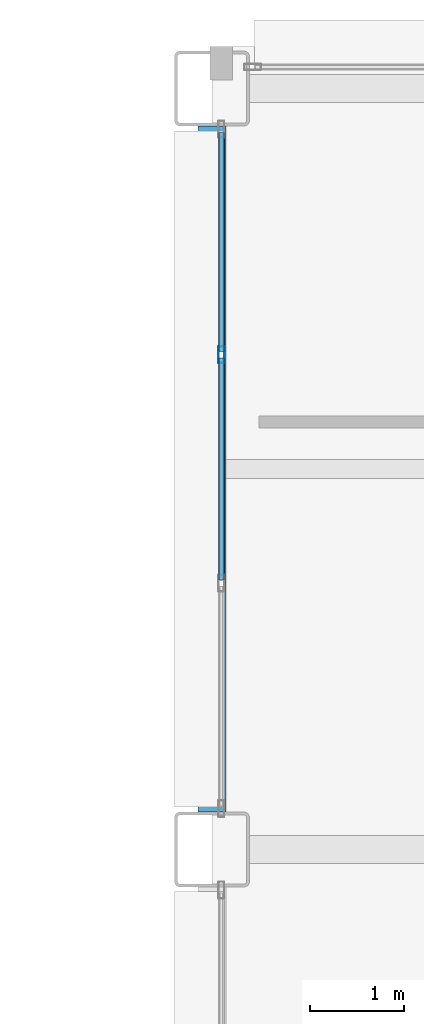
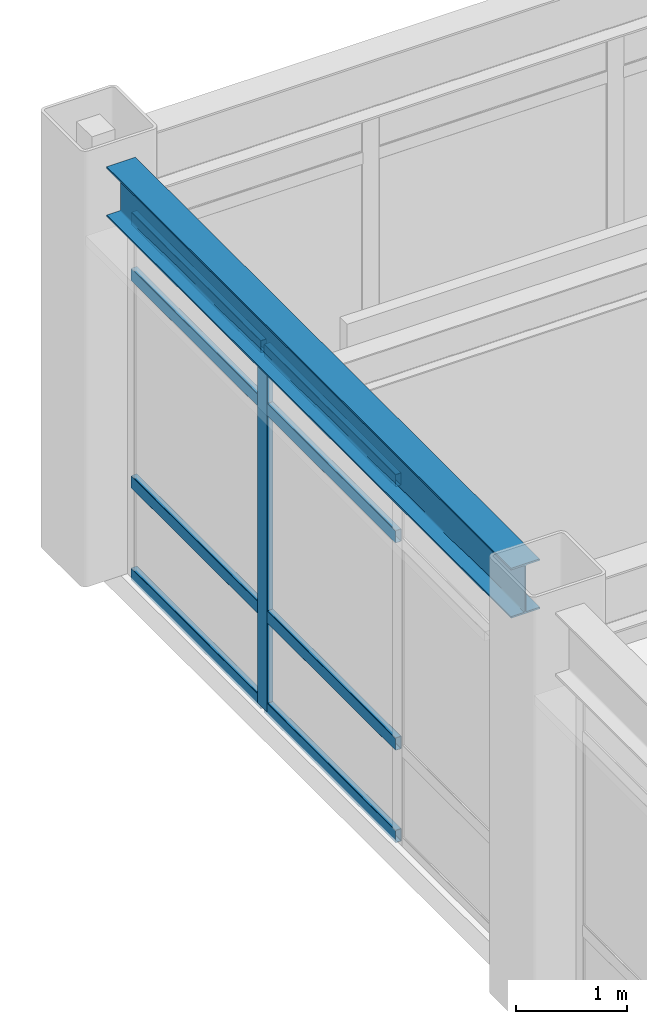
# One storey, part 108 of 154: 9 members, 1 beam, 1 element without a shape of its own.
"""IFC4 building model written with IfcOpenShell, lengths in metres."""

from ifc_helpers import new_model, si_unit, direction, frame, origin, origin_2d, place, context, subcontext, project, spatial, hollow_rectangle, i_section, extrude, material, layer, layer_set, material_profile, profile_set, type_object, element, aggregate, save


model = new_model("IFC4")

# Units and contexts
model_context = context("Model", 3, precision=1e-05, world=origin(), true_north=direction((0.0, 1.0)))
body_context = subcontext(model_context, "Body", "Model", "MODEL_VIEW")
ifc_project = project(units=[si_unit("LENGTHUNIT", "METRE"), si_unit("AREAUNIT", "SQUARE_METRE"), si_unit("VOLUMEUNIT", "CUBIC_METRE"), si_unit("PLANEANGLEUNIT", "RADIAN"), si_unit("MASSUNIT", "GRAM", prefix="KILO")], contexts=[model_context])

# Site, building, storey
site_placement = place(None, origin())
site = spatial("IfcSite", under=ifc_project, at=site_placement, CompositionType="ELEMENT")
building_placement = place(site_placement, origin())
building = spatial("IfcBuilding", under=site, at=building_placement, Name="Kazehara Bluff Congress Hotel", CompositionType="ELEMENT")
storey_placement = place(building_placement, frame((0.0, 0.0, 10.199951171875)))
storey = spatial("IfcBuildingStorey", under=building, at=storey_placement, Name="L02", CompositionType="ELEMENT", Elevation=10.199951171875)

# Curtain wall, members
ifc_material_1 = material(Name="Anodised aluminium", Category="aluminium")
ifc_layer = layer(ifc_material_1, 0.159912109375)
ifc_layer_set = layer_set([ifc_layer], Name="Anodised aluminium")
curtain_wall_type = type_object("IfcCurtainWallType", Name="TP-CW-124", PredefinedType="NOTDEFINED", material=ifc_layer_set)
curtain_wall_placement = place(storey_placement, origin())
curtain_wall = element("IfcCurtainWall", 1, at=curtain_wall_placement, inside=storey, type_object=curtain_wall_type, Name="L02 curtain wall CW-124 CW-ENC-V5-L02-14380-10950", PredefinedType="NOTDEFINED")
ifc_material_2 = material(Name="Anodised aluminium", Category="aluminium")
ifc_material_profile_1 = material_profile(ifc_material_2, hollow_rectangle(XDim=0.06494140625, YDim=0.179931640625, WallThickness=0.00390625, InnerFilletRadius=0.00390625, OuterFilletRadius=0.008056640625, at=origin_2d()))
ifc_profile_set_1 = profile_set([ifc_material_profile_1], Name="Anodised aluminium")
member_type_1 = type_object("IfcMemberType", Name="TP-CWM-02", PredefinedType="MULLION", material=ifc_profile_set_1)
member_1_placement = place(storey_placement, frame((143.800048828125, 110.716552734375, 0.0), z_axis=(0.0, 0.0, 1.0), x_axis=(-1.0, 0.0, 0.0)))
member_1 = element("IfcMember", 2, at=member_1_placement, type_object=member_type_1, Name="CW-124 mullion 3", PredefinedType="MULLION", context=body_context, shape_type="SweptSolid", body=[
    extrude(hollow_rectangle(XDim=0.06494140625, YDim=0.179931640625, WallThickness=0.00390625, InnerFilletRadius=0.00390625, OuterFilletRadius=0.008056640625, at=origin_2d()), origin(), (0.0, 0.0, 1.0), 3.985107421875),
])
ifc_material_3 = material(Name="Anodised aluminium", Category="aluminium")
ifc_material_profile_2 = material_profile(ifc_material_3, hollow_rectangle(XDim=0.06494140625, YDim=0.139892578125, WallThickness=0.00390625, InnerFilletRadius=0.00390625, OuterFilletRadius=0.008056640625, at=origin_2d()))
ifc_profile_set_2 = profile_set([ifc_material_profile_2], Name="Anodised aluminium")
member_type_2 = type_object("IfcMemberType", Name="TP-CWT-02", PredefinedType="USERDEFINED", material=ifc_profile_set_2)
member_2_placement = place(storey_placement, frame((143.800048828125, 108.31591796875, 0.032470703125), z_axis=(0.0, 1.0, 0.0), x_axis=(-1.0, 0.0, 0.0)))
member_2 = element("IfcMember", 3, at=member_2_placement, type_object=member_type_2, Name="CW-124 transom 2.1", ObjectType="TRANSOM", PredefinedType="USERDEFINED", context=body_context, shape_type="SweptSolid", body=[
    extrude(hollow_rectangle(XDim=0.06494140625, YDim=0.139892578125, WallThickness=0.00390625, InnerFilletRadius=0.00390625, OuterFilletRadius=0.008056640625, at=origin_2d()), origin(), (0.0, 0.0, 1.0), 2.3681640625),
])
member_3_placement = place(storey_placement, frame((143.800048828125, 108.31591796875, 1.050048828125), z_axis=(0.0, 1.0, 0.0), x_axis=(-1.0, 0.0, 0.0)))
member_3 = element("IfcMember", 4, at=member_3_placement, type_object=member_type_2, Name="CW-124 transom 2.2", ObjectType="TRANSOM", PredefinedType="USERDEFINED", context=body_context, shape_type="SweptSolid", body=[
    extrude(hollow_rectangle(XDim=0.06494140625, YDim=0.139892578125, WallThickness=0.00390625, InnerFilletRadius=0.00390625, OuterFilletRadius=0.008056640625, at=origin_2d()), origin(), (0.0, 0.0, 1.0), 2.3681640625),
])
member_4_placement = place(storey_placement, frame((143.800048828125, 108.31591796875, 3.3349609375), z_axis=(0.0, 1.0, 0.0), x_axis=(-1.0, 0.0, 0.0)))
member_4 = element("IfcMember", 5, at=member_4_placement, type_object=member_type_2, Name="CW-124 transom 2.3", ObjectType="TRANSOM", PredefinedType="USERDEFINED", context=body_context, shape_type="SweptSolid", body=[
    extrude(hollow_rectangle(XDim=0.06494140625, YDim=0.139892578125, WallThickness=0.00390625, InnerFilletRadius=0.00390625, OuterFilletRadius=0.008056640625, at=origin_2d()), origin(), (0.0, 0.0, 1.0), 2.3681640625),
])
member_5_placement = place(storey_placement, frame((143.800048828125, 108.31591796875, 3.95263671875), z_axis=(0.0, 1.0, 0.0), x_axis=(-1.0, 0.0, 0.0)))
member_5 = element("IfcMember", 6, at=member_5_placement, type_object=member_type_2, Name="CW-124 transom 2.4", ObjectType="TRANSOM", PredefinedType="USERDEFINED", context=body_context, shape_type="SweptSolid", body=[
    extrude(hollow_rectangle(XDim=0.06494140625, YDim=0.139892578125, WallThickness=0.00390625, InnerFilletRadius=0.00390625, OuterFilletRadius=0.008056640625, at=origin_2d()), origin(), (0.0, 0.0, 1.0), 2.3681640625),
])
member_6_placement = place(storey_placement, frame((143.800048828125, 110.749267578125, 0.032470703125), z_axis=(0.0, 1.0, 0.0), x_axis=(-1.0, 0.0, 0.0)))
member_6 = element("IfcMember", 7, at=member_6_placement, type_object=member_type_2, Name="CW-124 transom 3.1", ObjectType="TRANSOM", PredefinedType="USERDEFINED", context=body_context, shape_type="SweptSolid", body=[
    extrude(hollow_rectangle(XDim=0.06494140625, YDim=0.139892578125, WallThickness=0.00390625, InnerFilletRadius=0.00390625, OuterFilletRadius=0.008056640625, at=origin_2d()), origin(), (0.0, 0.0, 1.0), 2.335693359375),
])
member_7_placement = place(storey_placement, frame((143.800048828125, 110.749267578125, 1.050048828125), z_axis=(0.0, 1.0, 0.0), x_axis=(-1.0, 0.0, 0.0)))
member_7 = element("IfcMember", 8, at=member_7_placement, type_object=member_type_2, Name="CW-124 transom 3.2", ObjectType="TRANSOM", PredefinedType="USERDEFINED", context=body_context, shape_type="SweptSolid", body=[
    extrude(hollow_rectangle(XDim=0.06494140625, YDim=0.139892578125, WallThickness=0.00390625, InnerFilletRadius=0.00390625, OuterFilletRadius=0.008056640625, at=origin_2d()), origin(), (0.0, 0.0, 1.0), 2.335693359375),
])
member_8_placement = place(storey_placement, frame((143.800048828125, 110.749267578125, 3.3349609375), z_axis=(0.0, 1.0, 0.0), x_axis=(-1.0, 0.0, 0.0)))
member_8 = element("IfcMember", 9, at=member_8_placement, type_object=member_type_2, Name="CW-124 transom 3.3", ObjectType="TRANSOM", PredefinedType="USERDEFINED", context=body_context, shape_type="SweptSolid", body=[
    extrude(hollow_rectangle(XDim=0.06494140625, YDim=0.139892578125, WallThickness=0.00390625, InnerFilletRadius=0.00390625, OuterFilletRadius=0.008056640625, at=origin_2d()), origin(), (0.0, 0.0, 1.0), 2.335693359375),
])
member_9_placement = place(storey_placement, frame((143.800048828125, 110.749267578125, 3.95263671875), z_axis=(0.0, 1.0, 0.0), x_axis=(-1.0, 0.0, 0.0)))
member_9 = element("IfcMember", 10, at=member_9_placement, type_object=member_type_2, Name="CW-124 transom 3.4", ObjectType="TRANSOM", PredefinedType="USERDEFINED", context=body_context, shape_type="SweptSolid", body=[
    extrude(hollow_rectangle(XDim=0.06494140625, YDim=0.139892578125, WallThickness=0.00390625, InnerFilletRadius=0.00390625, OuterFilletRadius=0.008056640625, at=origin_2d()), origin(), (0.0, 0.0, 1.0), 2.335693359375),
])
aggregate(curtain_wall, [member_1, member_2, member_3, member_4, member_5, member_6, member_7, member_8, member_9])

# Beam
ifc_material_4 = material(Name="Steel SN490B", Category="steel")
ifc_material_profile_3 = material_profile(ifc_material_4, i_section(OverallWidth=0.300048828125, OverallDepth=0.550048828125, WebThickness=0.010986328125, FlangeThickness=0.01806640625, FilletRadius=0.012939453125, at=origin_2d()))
ifc_profile_set_3 = profile_set([ifc_material_profile_3], Name="Steel SN490B")
beam_type = type_object("IfcBeamType", Name="TP-SP-01", PredefinedType="SPANDREL", material=ifc_profile_set_3)
beam_placement = place(storey_placement, frame((143.699951171875, 105.85009765625, 4.28515625), z_axis=(0.0, 1.0, 0.0), x_axis=(-1.0, 0.0, 0.0)))
element("IfcBeam", 11, at=beam_placement, inside=storey, type_object=beam_type, Name="L02 girder SP-01 150", PredefinedType="SPANDREL", context=body_context, shape_type="SweptSolid", body=[
    extrude(i_section(OverallWidth=0.300048828125, OverallDepth=0.550048828125, WebThickness=0.010986328125, FlangeThickness=0.01806640625, FilletRadius=0.012939453125, at=origin_2d()), origin(), (0.0, 0.0, 1.0), 7.2998046875),
])

save(model, "model.ifc")
